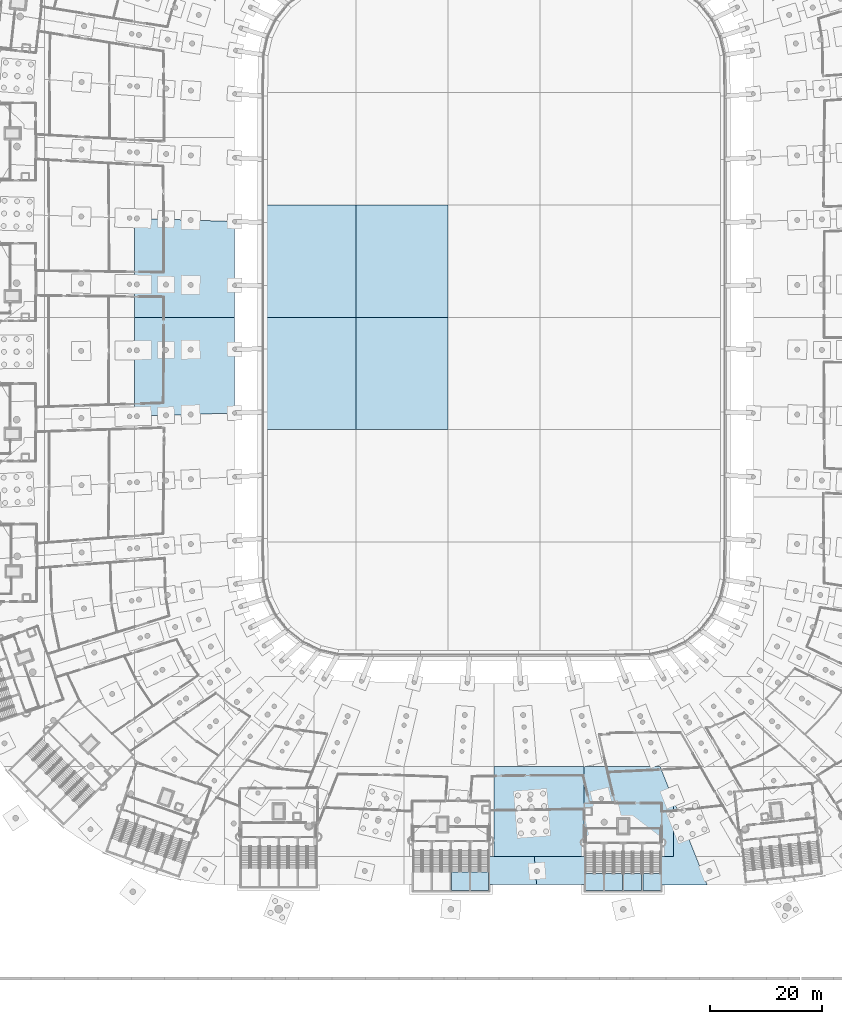
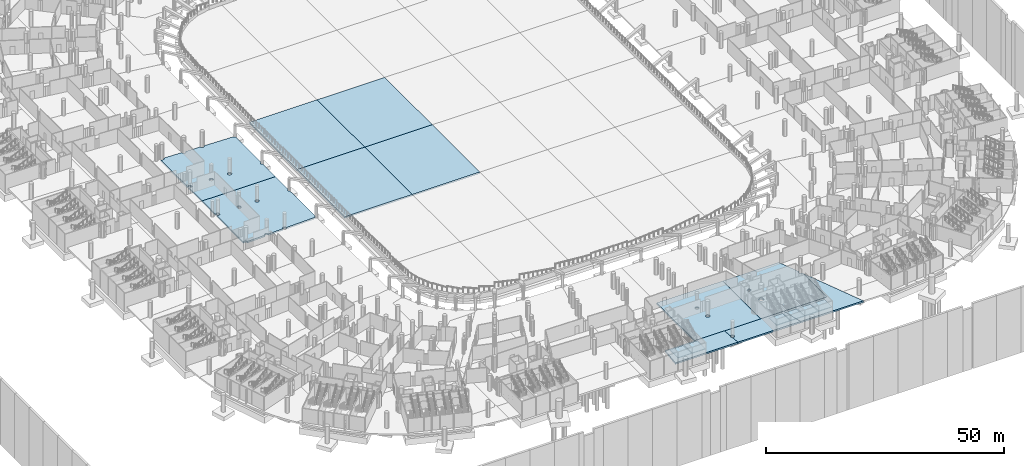
# One storey, part 19 of 142: 17 slabs, 6 elements without a shape of their own.
"""IFC4 building model written with IfcOpenShell, lengths in metres."""

from ifc_helpers import new_model, si_unit, direction, frame, origin, place, context, subcontext, project, spatial, polyline, outline, extrude, material, layer, layer_set, type_object, element, aggregate, save


model = new_model("IFC4")

# Units and contexts
model_context = context("Model", 3, precision=1e-05, world=origin(), true_north=direction((0.0, 1.0)))
body_context = subcontext(model_context, "Body", "Model", "MODEL_VIEW")
ifc_project = project(units=[si_unit("LENGTHUNIT", "METRE"), si_unit("AREAUNIT", "SQUARE_METRE"), si_unit("VOLUMEUNIT", "CUBIC_METRE"), si_unit("PLANEANGLEUNIT", "RADIAN"), si_unit("MASSUNIT", "GRAM", prefix="KILO")], contexts=[model_context])

# Site, building, storey
site_placement = place(None, origin())
site = spatial("IfcSite", under=ifc_project, at=site_placement, CompositionType="ELEMENT")
building_placement = place(site_placement, origin())
building = spatial("IfcBuilding", under=site, at=building_placement, Name="Meseta Stadium", CompositionType="ELEMENT")
storey_placement = place(building_placement, frame((0.0, 0.0, -4.0)))
storey = spatial("IfcBuildingStorey", under=building, at=storey_placement, Name="B1", CompositionType="ELEMENT", Elevation=-4.0)

# Slabs
ifc_material_1 = material(Name="Concrete C30/37", Category="concrete")
ifc_layer_1 = layer(ifc_material_1, 0.39990234375)
ifc_layer_set_1 = layer_set([ifc_layer_1], Name="Base slab 400")
slab_type_1 = type_object("IfcSlabType", Name="Base slab 400", PredefinedType="BASESLAB", material=ifc_layer_set_1)
slab_1_placement = place(storey_placement, frame((0.0, 0.0, -0.39990234375)))
element("IfcSlab", 1, at=slab_1_placement, inside=storey, type_object=slab_type_1, Name="Base slab B1 sector 28 panel 14", PredefinedType="BASESLAB", context=body_context, shape_type="SweptSolid", body=[
    extrude(outline(polyline([(-63.907470703125, -17.29833984375), (-63.839111328125, -17.241943359375), (-63.7607421875, -17.2001953125), (-63.676025390625, -17.174560546875), (-63.587890625, -17.165771484375), (-63.49951171875, -17.174560546875), (-63.414794921875, -17.2001953125), (-63.336669921875, -17.241943359375), (-63.26806640625, -17.29833984375), (-63.2119140625, -17.36669921875), (-63.169921875, -17.445068359375), (-63.144287109375, -17.52978515625), (-63.13720703125, -17.603271484375), (-58.84130859375, -17.4619140625), (-58.8427734375, -17.447021484375), (-58.833984375, -17.35888671875), (-58.808349609375, -17.27392578125), (-58.7666015625, -17.19580078125), (-58.710205078125, -17.127197265625), (-58.641845703125, -17.071044921875), (-58.563720703125, -17.029296875), (-58.478759765625, -17.003662109375), (-58.390625, -16.994873046875), (-58.302490234375, -17.003662109375), (-58.217529296875, -17.029296875), (-58.139404296875, -17.071044921875), (-58.07080078125, -17.127197265625), (-58.0146484375, -17.19580078125), (-57.972900390625, -17.27392578125), (-57.947021484375, -17.35888671875), (-57.93994140625, -17.43212890625), (-54.443603515625, -17.317138671875), (-54.445068359375, -17.302490234375), (-54.4365234375, -17.214111328125), (-54.41064453125, -17.12939453125), (-54.368896484375, -17.05126953125), (-54.312744140625, -16.982666015625), (-54.244140625, -16.926513671875), (-54.166015625, -16.884521484375), (-54.081298828125, -16.85888671875), (-53.992919921875, -16.85009765625), (-53.90478515625, -16.85888671875), (-53.81982421875, -16.884521484375), (-53.74169921875, -16.926513671875), (-53.673095703125, -16.982666015625), (-53.616943359375, -17.05126953125), (-53.5751953125, -17.12939453125), (-53.549560546875, -17.214111328125), (-53.542236328125, -17.28759765625), (-46.5478515625, -17.0576171875), (-46.548828125, -17.0458984375), (-46.5419921875, -16.977294921875), (-46.522216796875, -16.911376953125), (-46.489501953125, -16.8505859375), (-46.44580078125, -16.79736328125), (-46.392578125, -16.75341796875), (-46.331787109375, -16.720947265625), (-46.265869140625, -16.700927734375), (-46.197265625, -16.6943359375), (-46.19970703125, -6.03369140625), (-46.268310546875, -6.02685546875), (-46.334228515625, -6.0068359375), (-46.39501953125, -5.974365234375), (-46.448486328125, -5.9306640625), (-46.4921875, -5.87744140625), (-46.524658203125, -5.816650390625), (-46.544677734375, -5.75048828125), (-46.551025390625, -5.685791015625), (-46.544677734375, -5.61328125), (-46.524658203125, -5.54736328125), (-46.4921875, -5.486572265625), (-46.448486328125, -5.433349609375), (-46.39501953125, -5.3896484375), (-46.334228515625, -5.357177734375), (-46.268310546875, -5.337158203125), (-46.19970703125, -5.330322265625), (-46.199951171875, 0.0), (-64.0, 0.0), (-64.0, -5.669189453125), (-63.974609375, -5.62158203125), (-63.91845703125, -5.552978515625), (-63.849853515625, -5.496826171875), (-63.771728515625, -5.455078125), (-63.68701171875, -5.42919921875), (-63.5986328125, -5.420654296875), (-63.510498046875, -5.42919921875), (-63.425537109375, -5.455078125), (-63.347412109375, -5.496826171875), (-63.27880859375, -5.552978515625), (-63.22265625, -5.62158203125), (-63.180908203125, -5.69970703125), (-63.1552734375, -5.78466796875), (-63.146484375, -5.872802734375), (-63.1552734375, -5.9609375), (-63.180908203125, -6.0458984375), (-63.22265625, -6.1240234375), (-63.27880859375, -6.1923828125), (-63.347412109375, -6.248779296875), (-63.425537109375, -6.29052734375), (-63.510498046875, -6.31640625), (-63.5986328125, -6.324951171875), (-63.68701171875, -6.31640625), (-63.771728515625, -6.29052734375), (-63.849853515625, -6.248779296875), (-63.91845703125, -6.1923828125), (-63.974609375, -6.1240234375), (-64.0, -6.076416015625), (-64.0, -17.434814453125), (-63.9638671875, -17.36669921875), (-63.907470703125, -17.29833984375)]), holes=[polyline([(-58.39892578125, -6.26806640625), (-58.4873046875, -6.25927734375), (-58.572021484375, -6.2333984375), (-58.650146484375, -6.191650390625), (-58.71875, -6.135498046875), (-58.77490234375, -6.06689453125), (-58.816650390625, -5.98876953125), (-58.84228515625, -5.904052734375), (-58.85107421875, -5.81591796875), (-58.84228515625, -5.7275390625), (-58.816650390625, -5.642578125), (-58.77490234375, -5.564697265625), (-58.71875, -5.49609375), (-58.650146484375, -5.439697265625), (-58.572021484375, -5.39794921875), (-58.4873046875, -5.372314453125), (-58.39892578125, -5.363525390625), (-58.310791015625, -5.372314453125), (-58.225830078125, -5.39794921875), (-58.147705078125, -5.439697265625), (-58.0791015625, -5.49609375), (-58.02294921875, -5.564697265625), (-57.981201171875, -5.642578125), (-57.95556640625, -5.7275390625), (-57.94677734375, -5.81591796875), (-57.95556640625, -5.904052734375), (-57.981201171875, -5.98876953125), (-58.02294921875, -6.06689453125), (-58.0791015625, -6.135498046875), (-58.147705078125, -6.191650390625), (-58.225830078125, -6.2333984375), (-58.310791015625, -6.25927734375), (-58.39892578125, -6.26806640625)]), polyline([(-53.999267578125, -6.2197265625), (-54.08740234375, -6.2109375), (-54.17236328125, -6.185302734375), (-54.25048828125, -6.1435546875), (-54.319091796875, -6.08740234375), (-54.375244140625, -6.018798828125), (-54.4169921875, -5.940673828125), (-54.442626953125, -5.855712890625), (-54.451416015625, -5.767578125), (-54.442626953125, -5.67919921875), (-54.4169921875, -5.594482421875), (-54.375244140625, -5.516357421875), (-54.319091796875, -5.44775390625), (-54.25048828125, -5.3916015625), (-54.17236328125, -5.349853515625), (-54.08740234375, -5.323974609375), (-53.999267578125, -5.3154296875), (-53.910888671875, -5.323974609375), (-53.826171875, -5.349853515625), (-53.748046875, -5.3916015625), (-53.679443359375, -5.44775390625), (-53.623291015625, -5.516357421875), (-53.58154296875, -5.594482421875), (-53.5556640625, -5.67919921875), (-53.547119140625, -5.767578125), (-53.5556640625, -5.855712890625), (-53.58154296875, -5.940673828125), (-53.623291015625, -6.018798828125), (-53.679443359375, -6.08740234375), (-53.748046875, -6.1435546875), (-53.826171875, -6.185302734375), (-53.910888671875, -6.2109375), (-53.999267578125, -6.2197265625)])]), origin(), (0.0, 0.0, 1.0), 0.39990234375),
])
slab_2_placement = place(storey_placement, frame((0.0, 0.0, -0.39990234375)))
element("IfcSlab", 2, at=slab_2_placement, inside=storey, type_object=slab_type_1, Name="Base slab B1 sector 28 panel 15", PredefinedType="BASESLAB", context=body_context, shape_type="SweptSolid", body=[
    extrude(outline(polyline([(-63.169921875, 17.445068359375), (-63.2119140625, 17.36669921875), (-63.26806640625, 17.29833984375), (-63.336669921875, 17.241943359375), (-63.414794921875, 17.2001953125), (-63.49951171875, 17.174560546875), (-63.587890625, 17.165771484375), (-63.676025390625, 17.174560546875), (-63.7607421875, 17.2001953125), (-63.839111328125, 17.241943359375), (-63.907470703125, 17.29833984375), (-63.9638671875, 17.36669921875), (-64.0, 17.434814453125), (-64.0, 6.076416015625), (-63.974609375, 6.1240234375), (-63.91845703125, 6.1923828125), (-63.849853515625, 6.248779296875), (-63.771728515625, 6.29052734375), (-63.68701171875, 6.31640625), (-63.5986328125, 6.324951171875), (-63.510498046875, 6.31640625), (-63.425537109375, 6.29052734375), (-63.347412109375, 6.248779296875), (-63.27880859375, 6.1923828125), (-63.22265625, 6.1240234375), (-63.180908203125, 6.0458984375), (-63.1552734375, 5.9609375), (-63.146484375, 5.872802734375), (-63.1552734375, 5.78466796875), (-63.180908203125, 5.69970703125), (-63.22265625, 5.62158203125), (-63.27880859375, 5.552978515625), (-63.347412109375, 5.496826171875), (-63.425537109375, 5.455078125), (-63.510498046875, 5.42919921875), (-63.5986328125, 5.420654296875), (-63.68701171875, 5.42919921875), (-63.771728515625, 5.455078125), (-63.849853515625, 5.496826171875), (-63.91845703125, 5.552978515625), (-63.974609375, 5.62158203125), (-64.0, 5.669189453125), (-64.0, 0.0), (-46.199951171875, 0.0), (-46.19970703125, 5.330322265625), (-46.268310546875, 5.337158203125), (-46.334228515625, 5.357177734375), (-46.39501953125, 5.3896484375), (-46.448486328125, 5.433349609375), (-46.4921875, 5.486572265625), (-46.524658203125, 5.54736328125), (-46.544677734375, 5.61328125), (-46.551025390625, 5.685791015625), (-46.544677734375, 5.75048828125), (-46.524658203125, 5.816650390625), (-46.4921875, 5.87744140625), (-46.448486328125, 5.9306640625), (-46.39501953125, 5.974365234375), (-46.334228515625, 6.0068359375), (-46.268310546875, 6.02685546875), (-46.19970703125, 6.03369140625), (-46.197265625, 16.6943359375), (-46.265869140625, 16.700927734375), (-46.331787109375, 16.720947265625), (-46.392578125, 16.75341796875), (-46.44580078125, 16.79736328125), (-46.489501953125, 16.8505859375), (-46.522216796875, 16.911376953125), (-46.5419921875, 16.977294921875), (-46.548828125, 17.0458984375), (-46.5478515625, 17.0576171875), (-53.542236328125, 17.28759765625), (-53.549560546875, 17.214111328125), (-53.5751953125, 17.12939453125), (-53.616943359375, 17.05126953125), (-53.673095703125, 16.982666015625), (-53.74169921875, 16.926513671875), (-53.81982421875, 16.884521484375), (-53.90478515625, 16.85888671875), (-53.992919921875, 16.85009765625), (-54.081298828125, 16.85888671875), (-54.166015625, 16.884521484375), (-54.244140625, 16.926513671875), (-54.312744140625, 16.982666015625), (-54.368896484375, 17.05126953125), (-54.41064453125, 17.12939453125), (-54.4365234375, 17.214111328125), (-54.445068359375, 17.302490234375), (-54.443603515625, 17.317138671875), (-57.93994140625, 17.43212890625), (-57.947021484375, 17.35888671875), (-57.972900390625, 17.27392578125), (-58.0146484375, 17.19580078125), (-58.07080078125, 17.127197265625), (-58.139404296875, 17.071044921875), (-58.217529296875, 17.029296875), (-58.302490234375, 17.003662109375), (-58.390625, 16.994873046875), (-58.478759765625, 17.003662109375), (-58.563720703125, 17.029296875), (-58.641845703125, 17.071044921875), (-58.710205078125, 17.127197265625), (-58.7666015625, 17.19580078125), (-58.808349609375, 17.27392578125), (-58.833984375, 17.35888671875), (-58.8427734375, 17.447021484375), (-58.84130859375, 17.4619140625), (-63.13720703125, 17.603271484375), (-63.144287109375, 17.52978515625), (-63.169921875, 17.445068359375)]), holes=[polyline([(-53.910888671875, 6.2109375), (-53.826171875, 6.185302734375), (-53.748046875, 6.1435546875), (-53.679443359375, 6.08740234375), (-53.623291015625, 6.018798828125), (-53.58154296875, 5.940673828125), (-53.5556640625, 5.855712890625), (-53.547119140625, 5.767578125), (-53.5556640625, 5.67919921875), (-53.58154296875, 5.594482421875), (-53.623291015625, 5.516357421875), (-53.679443359375, 5.44775390625), (-53.748046875, 5.3916015625), (-53.826171875, 5.349853515625), (-53.910888671875, 5.323974609375), (-53.999267578125, 5.3154296875), (-54.08740234375, 5.323974609375), (-54.17236328125, 5.349853515625), (-54.25048828125, 5.3916015625), (-54.319091796875, 5.44775390625), (-54.375244140625, 5.516357421875), (-54.4169921875, 5.594482421875), (-54.442626953125, 5.67919921875), (-54.451416015625, 5.767578125), (-54.442626953125, 5.855712890625), (-54.4169921875, 5.940673828125), (-54.375244140625, 6.018798828125), (-54.319091796875, 6.08740234375), (-54.25048828125, 6.1435546875), (-54.17236328125, 6.185302734375), (-54.08740234375, 6.2109375), (-53.999267578125, 6.2197265625), (-53.910888671875, 6.2109375)]), polyline([(-58.310791015625, 6.25927734375), (-58.225830078125, 6.2333984375), (-58.147705078125, 6.191650390625), (-58.0791015625, 6.135498046875), (-58.02294921875, 6.06689453125), (-57.981201171875, 5.98876953125), (-57.95556640625, 5.904052734375), (-57.94677734375, 5.81591796875), (-57.95556640625, 5.7275390625), (-57.981201171875, 5.642578125), (-58.02294921875, 5.564697265625), (-58.0791015625, 5.49609375), (-58.147705078125, 5.439697265625), (-58.225830078125, 5.39794921875), (-58.310791015625, 5.372314453125), (-58.39892578125, 5.363525390625), (-58.4873046875, 5.372314453125), (-58.572021484375, 5.39794921875), (-58.650146484375, 5.439697265625), (-58.71875, 5.49609375), (-58.77490234375, 5.564697265625), (-58.816650390625, 5.642578125), (-58.84228515625, 5.7275390625), (-58.85107421875, 5.81591796875), (-58.84228515625, 5.904052734375), (-58.816650390625, 5.98876953125), (-58.77490234375, 6.06689453125), (-58.71875, 6.135498046875), (-58.650146484375, 6.191650390625), (-58.572021484375, 6.2333984375), (-58.4873046875, 6.25927734375), (-58.39892578125, 6.26806640625), (-58.310791015625, 6.25927734375)])]), origin(), (0.0, 0.0, 1.0), 0.39990234375),
])
slab_3_placement = place(storey_placement, frame((0.0, 0.0, -0.39990234375)))
element("IfcSlab", 3, at=slab_3_placement, inside=storey, type_object=slab_type_1, Name="Base slab B1 sector 42 panel 12", PredefinedType="BASESLAB", context=body_context, shape_type="SweptSolid", body=[
    extrude(outline(polyline([(7.1904296875, -96.0), (-7.1904296875, -96.0), (-7.58740234375, -101.003173828125), (0.0, -101.0), (7.58740234375, -101.003173828125), (7.42724609375, -98.982177734375), (7.41552734375, -98.97607421875), (7.346923828125, -98.919677734375), (7.290771484375, -98.851318359375), (7.248779296875, -98.77294921875), (7.22314453125, -98.688232421875), (7.214599609375, -98.60009765625), (7.22314453125, -98.51171875), (7.248779296875, -98.427001953125), (7.290771484375, -98.348876953125), (7.346923828125, -98.2802734375), (7.3701171875, -98.261474609375), (7.1904296875, -96.0)])), origin(), (0.0, 0.0, 1.0), 0.39990234375),
])
slab_4_placement = place(storey_placement, frame((0.0, 0.0, -0.39990234375)))
element("IfcSlab", 4, at=slab_4_placement, inside=storey, type_object=slab_type_1, Name="Base slab B1 sector 42 panel 13", PredefinedType="BASESLAB", context=body_context, shape_type="SweptSolid", body=[
    extrude(outline(polyline([(0.0, -80.0), (0.0, -96.0), (16.0, -96.0), (16.0, -80.0), (0.0, -80.0)]), holes=[polyline([(6.452880859375, -89.3447265625), (6.494873046875, -89.2666015625), (6.551025390625, -89.197998046875), (6.619384765625, -89.141845703125), (6.69775390625, -89.10009765625), (6.782470703125, -89.074462890625), (6.87060546875, -89.065673828125), (6.958984375, -89.074462890625), (7.043701171875, -89.10009765625), (7.121826171875, -89.141845703125), (7.1904296875, -89.197998046875), (7.24658203125, -89.2666015625), (7.28857421875, -89.3447265625), (7.314208984375, -89.4296875), (7.322998046875, -89.517822265625), (7.314208984375, -89.606201171875), (7.28857421875, -89.69091796875), (7.24658203125, -89.76904296875), (7.1904296875, -89.837646484375), (7.121826171875, -89.893798828125), (7.043701171875, -89.935546875), (6.958984375, -89.961181640625), (6.87060546875, -89.969970703125), (6.782470703125, -89.961181640625), (6.69775390625, -89.935546875), (6.619384765625, -89.893798828125), (6.551025390625, -89.837646484375), (6.494873046875, -89.76904296875), (6.452880859375, -89.69091796875), (6.42724609375, -89.606201171875), (6.418701171875, -89.517822265625), (6.42724609375, -89.4296875), (6.452880859375, -89.3447265625)]), polyline([(6.233154296875, -85.50537109375), (6.30859375, -85.482421875), (6.386962890625, -85.474853515625), (6.465576171875, -85.482421875), (6.541015625, -85.50537109375), (6.6103515625, -85.54248046875), (6.67138671875, -85.592529296875), (6.72119140625, -85.6533203125), (6.75830078125, -85.722900390625), (6.78125, -85.79833984375), (6.7890625, -85.876708984375), (6.78125, -85.955078125), (6.75830078125, -86.030517578125), (6.72119140625, -86.10009765625), (6.67138671875, -86.160888671875), (6.6103515625, -86.2109375), (6.541015625, -86.248046875), (6.465576171875, -86.27099609375), (6.386962890625, -86.27880859375), (6.30859375, -86.27099609375), (6.233154296875, -86.248046875), (6.163818359375, -86.2109375), (6.102783203125, -86.160888671875), (6.052734375, -86.10009765625), (6.015625, -86.030517578125), (5.992919921875, -85.955078125), (5.985107421875, -85.876708984375), (5.992919921875, -85.79833984375), (6.015625, -85.722900390625), (6.052734375, -85.6533203125), (6.102783203125, -85.592529296875), (6.163818359375, -85.54248046875), (6.233154296875, -85.50537109375)])]), origin(), (0.0, 0.0, 1.0), 0.39990234375),
])
slab_5_placement = place(storey_placement, frame((0.0, 0.0, -0.39990234375)))
element("IfcSlab", 5, at=slab_5_placement, inside=storey, type_object=slab_type_1, Name="Base slab B1 sector 42 panel 15", PredefinedType="BASESLAB", context=body_context, shape_type="SweptSolid", body=[
    extrude(outline(polyline([(7.49365234375, -99.017822265625), (7.42724609375, -98.982177734375), (7.58740234375, -101.003173828125), (16.0, -101.013916015625), (22.768310546875, -101.027099609375), (21.5712890625, -96.0), (7.1904296875, -96.0), (7.3701171875, -98.261474609375), (7.41552734375, -98.22412109375), (7.49365234375, -98.18212890625), (7.57861328125, -98.156494140625), (7.666748046875, -98.147705078125), (7.7548828125, -98.156494140625), (7.839599609375, -98.18212890625), (7.91796875, -98.22412109375), (7.986328125, -98.2802734375), (8.04248046875, -98.348876953125), (8.08447265625, -98.427001953125), (8.110107421875, -98.51171875), (8.118896484375, -98.60009765625), (8.110107421875, -98.688232421875), (8.08447265625, -98.77294921875), (8.04248046875, -98.851318359375), (7.986328125, -98.919677734375), (7.91796875, -98.97607421875), (7.839599609375, -99.017822265625), (7.7548828125, -99.04345703125), (7.666748046875, -99.05224609375), (7.57861328125, -99.04345703125), (7.49365234375, -99.017822265625)])), origin(), (0.0, 0.0, 1.0), 0.39990234375),
])
slab_6_placement = place(storey_placement, frame((0.0, 0.0, -0.39990234375)))
element("IfcSlab", 6, at=slab_6_placement, inside=storey, type_object=slab_type_1, Name="Base slab B1 sector 42 panel 17", PredefinedType="BASESLAB", context=body_context, shape_type="SweptSolid", body=[
    extrude(outline(polyline([(16.0, -80.0), (16.0, -96.0), (32.0, -96.0), (32.0, -86.06689453125), (31.875244140625, -85.752685546875), (31.815185546875, -85.77099609375), (31.73681640625, -85.77880859375), (31.658447265625, -85.77099609375), (31.5830078125, -85.748291015625), (31.513427734375, -85.7109375), (31.45263671875, -85.660888671875), (31.402587890625, -85.60009765625), (31.365478515625, -85.530517578125), (31.342529296875, -85.455078125), (31.3349609375, -85.376708984375), (31.342529296875, -85.29833984375), (31.365478515625, -85.222900390625), (31.402587890625, -85.153564453125), (31.45263671875, -85.092529296875), (31.513427734375, -85.04248046875), (31.57958984375, -85.00732421875), (29.59228515625, -80.0), (16.0, -80.0)]), holes=[polyline([(19.7353515625, -89.36181640625), (19.839111328125, -89.393310546875), (19.9345703125, -89.444091796875), (20.018310546875, -89.512939453125), (20.0869140625, -89.5966796875), (20.13818359375, -89.692138671875), (20.16943359375, -89.7958984375), (20.18017578125, -89.90380859375), (20.16943359375, -90.01171875), (20.13818359375, -90.115234375), (20.0869140625, -90.210693359375), (20.018310546875, -90.29443359375), (19.9345703125, -90.36328125), (19.839111328125, -90.414306640625), (19.7353515625, -90.44580078125), (19.62744140625, -90.456298828125), (19.519775390625, -90.44580078125), (19.416015625, -90.414306640625), (19.320556640625, -90.36328125), (19.23681640625, -90.29443359375), (19.16796875, -90.210693359375), (19.116943359375, -90.115234375), (19.08544921875, -90.01171875), (19.07470703125, -89.90380859375), (19.08544921875, -89.7958984375), (19.116943359375, -89.692138671875), (19.16796875, -89.5966796875), (19.23681640625, -89.512939453125), (19.320556640625, -89.444091796875), (19.416015625, -89.393310546875), (19.519775390625, -89.36181640625), (19.62744140625, -89.35107421875), (19.7353515625, -89.36181640625)]), polyline([(18.895263671875, -85.364013671875), (18.96484375, -85.326904296875), (19.040283203125, -85.303955078125), (19.11865234375, -85.29638671875), (19.197021484375, -85.303955078125), (19.2724609375, -85.326904296875), (19.341796875, -85.364013671875), (19.40283203125, -85.4140625), (19.452880859375, -85.474853515625), (19.489990234375, -85.54443359375), (19.5126953125, -85.619873046875), (19.5205078125, -85.6982421875), (19.5126953125, -85.776611328125), (19.489990234375, -85.85205078125), (19.452880859375, -85.92138671875), (19.40283203125, -85.982421875), (19.341796875, -86.032470703125), (19.2724609375, -86.069580078125), (19.197021484375, -86.09228515625), (19.11865234375, -86.10009765625), (19.040283203125, -86.09228515625), (18.96484375, -86.069580078125), (18.895263671875, -86.032470703125), (18.83447265625, -85.982421875), (18.784423828125, -85.92138671875), (18.747314453125, -85.85205078125), (18.724365234375, -85.776611328125), (18.716796875, -85.6982421875), (18.724365234375, -85.619873046875), (18.747314453125, -85.54443359375), (18.784423828125, -85.474853515625), (18.83447265625, -85.4140625), (18.895263671875, -85.364013671875)])]), origin(), (0.0, 0.0, 1.0), 0.39990234375),
])
slab_7_placement = place(storey_placement, frame((0.0, 0.0, -0.39990234375)))
element("IfcSlab", 7, at=slab_7_placement, inside=storey, type_object=slab_type_1, Name="Base slab B1 sector 42 panel 18", PredefinedType="BASESLAB", context=body_context, shape_type="SweptSolid", body=[
    extrude(outline(polyline([(32.0, -101.0517578125), (37.95361328125, -101.070556640625), (32.0, -86.06689453125), (32.0, -96.0), (21.5712890625, -96.0), (22.768310546875, -101.027099609375), (32.0, -101.0517578125)])), origin(), (0.0, 0.0, 1.0), 0.39990234375),
])
ifc_material_2 = material(Name="Natural turf on sand and drainage layers")
ifc_layer_2 = layer(ifc_material_2, 0.39990234375)
ifc_layer_set_2 = layer_set([ifc_layer_2], Name="Pitch turf 400")
slab_type_2 = type_object("IfcSlabType", Name="Pitch turf 400", PredefinedType="BASESLAB", material=ifc_layer_set_2)
slab_8_placement = place(storey_placement, frame((0.0, 0.0, -0.39990234375)))
element("IfcSlab", 8, at=slab_8_placement, inside=storey, type_object=slab_type_2, Name="Playing pitch module 11", PredefinedType="BASESLAB", context=body_context, shape_type="SweptSolid", body=[
    extrude(outline(polyline([(-40.97998046875, 0.0), (-40.97998046875, -19.993408203125), (-24.587890625, -19.993408203125), (-24.587890625, 0.0), (-40.97998046875, 0.0)])), origin(), (0.0, 0.0, 1.0), 0.39990234375),
])
slab_9_placement = place(storey_placement, frame((0.0, 0.0, -0.39990234375)))
element("IfcSlab", 9, at=slab_9_placement, inside=storey, type_object=slab_type_2, Name="Playing pitch module 12", PredefinedType="BASESLAB", context=body_context, shape_type="SweptSolid", body=[
    extrude(outline(polyline([(-8.196044921875, -19.993408203125), (-8.196044921875, 0.0), (-24.587890625, 0.0), (-24.587890625, -19.993408203125), (-8.196044921875, -19.993408203125)])), origin(), (0.0, 0.0, 1.0), 0.39990234375),
])
slab_10_placement = place(storey_placement, frame((0.0, 0.0, -0.39990234375)))
element("IfcSlab", 10, at=slab_10_placement, inside=storey, type_object=slab_type_2, Name="Playing pitch module 16", PredefinedType="BASESLAB", context=body_context, shape_type="SweptSolid", body=[
    extrude(outline(polyline([(-40.97998046875, 19.993408203125), (-40.97998046875, 0.0), (-24.587890625, 0.0), (-24.587890625, 19.993408203125), (-40.97998046875, 19.993408203125)])), origin(), (0.0, 0.0, 1.0), 0.39990234375),
])
slab_11_placement = place(storey_placement, frame((0.0, 0.0, -0.39990234375)))
element("IfcSlab", 11, at=slab_11_placement, inside=storey, type_object=slab_type_2, Name="Playing pitch module 17", PredefinedType="BASESLAB", context=body_context, shape_type="SweptSolid", body=[
    extrude(outline(polyline([(-8.196044921875, 0.0), (-8.196044921875, 19.993408203125), (-24.587890625, 19.993408203125), (-24.587890625, 0.0), (-8.196044921875, 0.0)])), origin(), (0.0, 0.0, 1.0), 0.39990234375),
])

# Stair, slab
ifc_material_3 = material(Name="Concrete C40/50", Category="concrete")
stair_type = type_object("IfcStairType", Name="Exit stair 2 flights 154 mm risers", PredefinedType="HALF_TURN_STAIR", material=ifc_material_3)
stair_1_placement = place(storey_placement, origin())
stair_1 = element("IfcStair", 12, at=stair_1_placement, inside=storey, type_object=stair_type, Name="ST95 B1", PredefinedType="HALF_TURN_STAIR")
ifc_material_4 = material(Name="Concrete C40/50", Category="concrete")
ifc_layer_3 = layer(ifc_material_4, 0.199951171875)
ifc_layer_set_3 = layer_set([ifc_layer_3], Name="Stair landing 200")
slab_type_3 = type_object("IfcSlabType", Name="Stair landing 200", PredefinedType="LANDING", material=ifc_layer_set_3)
slab_12_placement = place(storey_placement, frame((0.0, 0.0, 1.800048828125)))
slab_12 = element("IfcSlab", 13, at=slab_12_placement, type_object=slab_type_3, Name="ST95 B1 landing 1", PredefinedType="LANDING", context=body_context, shape_type="SweptSolid", body=[
    extrude(outline(polyline([(-7.566650390625, -98.72998046875), (-7.566650390625, -102.10009765625), (-4.36669921875, -102.10009765625), (-4.36669921875, -98.72998046875), (-7.566650390625, -98.72998046875)])), origin(), (0.0, 0.0, 1.0), 0.199951171875),
])
aggregate(stair_1, [slab_12])

stair_2_placement = place(storey_placement, origin())
stair_2 = element("IfcStair", 14, at=stair_2_placement, inside=storey, type_object=stair_type, Name="ST96 B1", PredefinedType="HALF_TURN_STAIR")
slab_13_placement = place(storey_placement, frame((0.0, 0.0, 1.800048828125)))
slab_13 = element("IfcSlab", 15, at=slab_13_placement, type_object=slab_type_3, Name="ST96 B1 landing 1", PredefinedType="LANDING", context=body_context, shape_type="SweptSolid", body=[
    extrude(outline(polyline([(-4.166748046875, -98.72998046875), (-4.166748046875, -102.10009765625), (-0.966552734375, -102.10009765625), (-0.966552734375, -98.72998046875), (-4.166748046875, -98.72998046875)])), origin(), (0.0, 0.0, 1.0), 0.199951171875),
])
aggregate(stair_2, [slab_13])

stair_3_placement = place(storey_placement, origin())
stair_3 = element("IfcStair", 16, at=stair_3_placement, inside=storey, type_object=stair_type, Name="ST97 B1", PredefinedType="HALF_TURN_STAIR")
slab_14_placement = place(storey_placement, frame((0.0, 0.0, 1.800048828125)))
slab_14 = element("IfcSlab", 17, at=slab_14_placement, type_object=slab_type_3, Name="ST97 B1 landing 1", PredefinedType="LANDING", context=body_context, shape_type="SweptSolid", body=[
    extrude(outline(polyline([(16.300048828125, -99.030029296875), (16.300048828125, -102.10009765625), (19.5, -102.10009765625), (19.5, -99.030029296875), (16.300048828125, -99.030029296875)])), origin(), (0.0, 0.0, 1.0), 0.199951171875),
])
aggregate(stair_3, [slab_14])

stair_4_placement = place(storey_placement, origin())
stair_4 = element("IfcStair", 18, at=stair_4_placement, inside=storey, type_object=stair_type, Name="ST98 B1", PredefinedType="HALF_TURN_STAIR")
slab_15_placement = place(storey_placement, frame((0.0, 0.0, 1.800048828125)))
slab_15 = element("IfcSlab", 19, at=slab_15_placement, type_object=slab_type_3, Name="ST98 B1 landing 1", PredefinedType="LANDING", context=body_context, shape_type="SweptSolid", body=[
    extrude(outline(polyline([(19.699951171875, -99.030029296875), (19.699951171875, -102.10009765625), (22.89990234375, -102.10009765625), (22.89990234375, -99.030029296875), (19.699951171875, -99.030029296875)])), origin(), (0.0, 0.0, 1.0), 0.199951171875),
])
aggregate(stair_4, [slab_15])

stair_5_placement = place(storey_placement, origin())
stair_5 = element("IfcStair", 20, at=stair_5_placement, inside=storey, type_object=stair_type, Name="ST99 B1", PredefinedType="HALF_TURN_STAIR")
slab_16_placement = place(storey_placement, frame((0.0, 0.0, 1.800048828125)))
slab_16 = element("IfcSlab", 21, at=slab_16_placement, type_object=slab_type_3, Name="ST99 B1 landing 1", PredefinedType="LANDING", context=body_context, shape_type="SweptSolid", body=[
    extrude(outline(polyline([(23.10009765625, -99.030029296875), (23.10009765625, -102.10009765625), (26.300048828125, -102.10009765625), (26.300048828125, -99.030029296875), (23.10009765625, -99.030029296875)])), origin(), (0.0, 0.0, 1.0), 0.199951171875),
])
aggregate(stair_5, [slab_16])

stair_6_placement = place(storey_placement, origin())
stair_6 = element("IfcStair", 22, at=stair_6_placement, inside=storey, type_object=stair_type, Name="ST100 B1", PredefinedType="HALF_TURN_STAIR")
slab_17_placement = place(storey_placement, frame((0.0, 0.0, 1.800048828125)))
slab_17 = element("IfcSlab", 23, at=slab_17_placement, type_object=slab_type_3, Name="ST100 B1 landing 1", PredefinedType="LANDING", context=body_context, shape_type="SweptSolid", body=[
    extrude(outline(polyline([(26.5, -99.030029296875), (26.5, -102.10009765625), (29.699951171875, -102.10009765625), (29.699951171875, -99.030029296875), (26.5, -99.030029296875)])), origin(), (0.0, 0.0, 1.0), 0.199951171875),
])
aggregate(stair_6, [slab_17])

save(model, "model.ifc")
